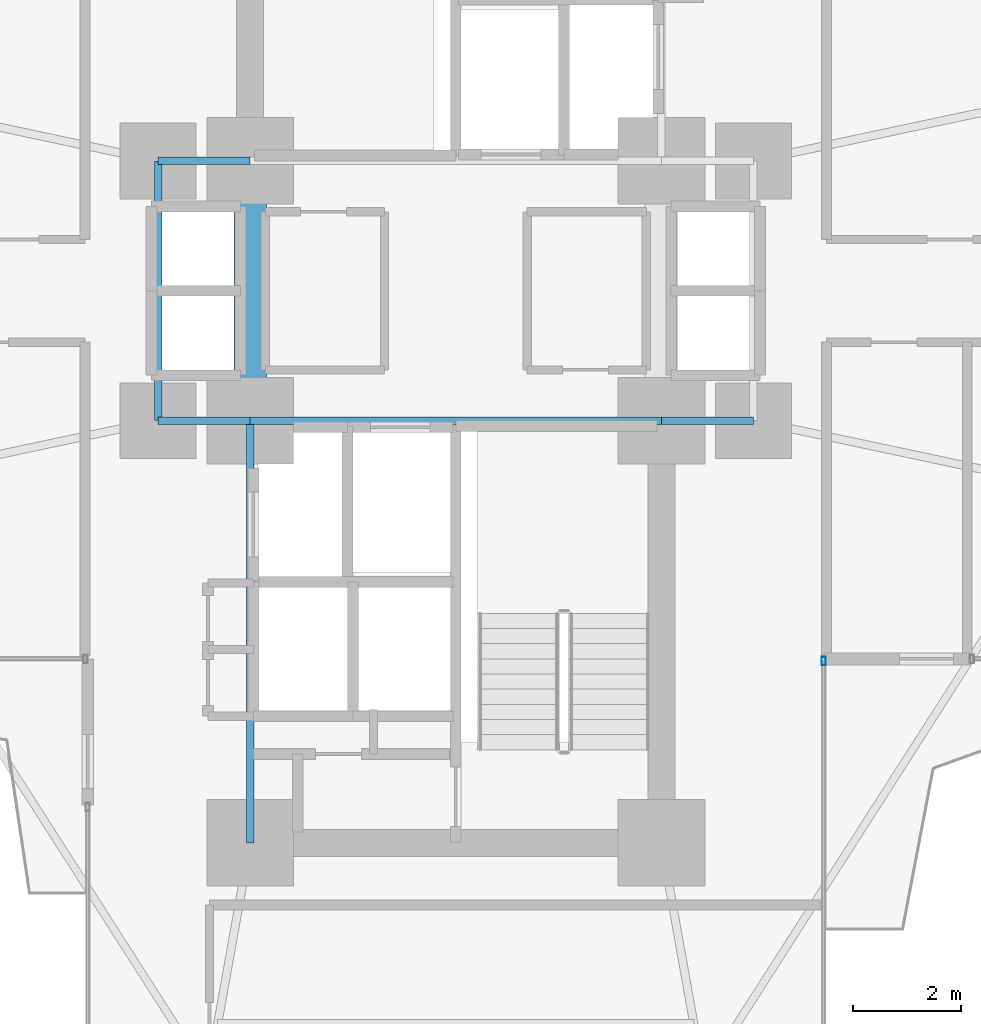
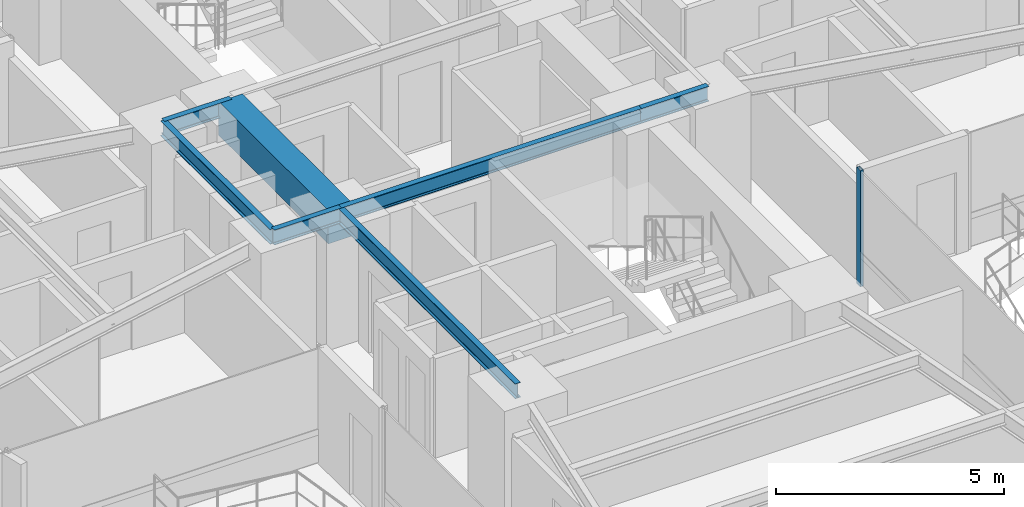
# One storey, part 11 of 25: 7 beams, 1 member, 1 element without a shape of its own.
"""IFC4 building model written with IfcOpenShell, lengths in metres."""

from ifc_helpers import new_model, si_unit, direction, frame, origin, origin_2d, place, context, subcontext, project, spatial, rectangle, hollow_rectangle, i_section, extrude, source, transform, mapped, material, material_profile, profile_set, type_object, element, aggregate, save


model = new_model("IFC4")

# Units and contexts
model_context = context("Model", 3, precision=1e-05, world=origin(), true_north=direction((0.0, 1.0)))
body_context = subcontext(model_context, "Body", "Model", "MODEL_VIEW")
ifc_project = project(units=[si_unit("LENGTHUNIT", "METRE"), si_unit("AREAUNIT", "SQUARE_METRE"), si_unit("VOLUMEUNIT", "CUBIC_METRE"), si_unit("PLANEANGLEUNIT", "RADIAN"), si_unit("MASSUNIT", "GRAM", prefix="KILO")], contexts=[model_context])

# Site, building, storey
site_placement = place(None, origin())
site = spatial("IfcSite", under=ifc_project, at=site_placement, CompositionType="ELEMENT")
building_placement = place(site_placement, origin())
building = spatial("IfcBuilding", under=site, at=building_placement, Name="Sahyath Konkavel Grand Hotel", CompositionType="ELEMENT")
storey_placement = place(building_placement, frame((0.0, 0.0, 33.14990234375)))
storey = spatial("IfcBuildingStorey", under=building, at=storey_placement, Name="L08", CompositionType="ELEMENT", Elevation=33.14990234375)

# Beams
ifc_material_1 = material(Name="Concrete C70/85", Category="concrete")
ifc_material_profile_1 = material_profile(ifc_material_1, rectangle(XDim=0.60009765625, YDim=0.89990234375, at=origin_2d()), Name="RC 600x900")
ifc_profile_set_1 = profile_set([ifc_material_profile_1], Name="Concrete C70/85")
beam_type_1 = type_object("IfcBeamType", Name="BM-CB600x900", PredefinedType="LINTEL", material=ifc_profile_set_1)
shared_shape_1 = source(origin(), body_context, "Body", "SweptSolid", [
    extrude(rectangle(XDim=0.60009765625, YDim=0.89990234375, at=origin_2d()), origin(), (0.0, 0.0, 1.0), 4.7998046875),
])
beam_1_placement = place(storey_placement, frame((-3.800048828125, -2.39990234375, 2.66015625), z_axis=(0.0, 1.0, 0.0), x_axis=(-1.0, 0.0, 0.0)))
element("IfcBeam", 1, at=beam_1_placement, inside=storey, type_object=beam_type_1, Name="L08 Split-Core Coupling Beam West", PredefinedType="LINTEL", context=body_context, shape_type="MappedRepresentation", body=[
    mapped(shared_shape_1, transform((0.0, 0.0, 0.0), scale=1.0)),
])
ifc_material_2 = material(Name="Steel E350", Category="steel")
ifc_material_profile_2 = material_profile(ifc_material_2, i_section(OverallWidth=0.139892578125, OverallDepth=0.39990234375, WebThickness=0.0087890625, FlangeThickness=0.01611328125, FilletRadius=0.013916015625, at=origin_2d()), Name="ISMB 400")
ifc_profile_set_2 = profile_set([ifc_material_profile_2], Name="Steel E350")
beam_type_2 = type_object("IfcBeamType", Name="BM-ISMB400", PredefinedType="BEAM", material=ifc_profile_set_2)
shared_shape_2 = source(origin(), body_context, "Body", "SweptSolid", [
    extrude(i_section(OverallWidth=0.139892578125, OverallDepth=0.39990234375, WebThickness=0.0087890625, FlangeThickness=0.01611328125, FilletRadius=0.013916015625, at=origin_2d()), origin(), (0.0, 0.0, 1.0), 7.60009765625),
])
beam_2_placement = place(storey_placement, frame((-3.800048828125, -2.39990234375, 2.91015625), z_axis=(1.0, 0.0, 0.0), x_axis=(0.0, 1.0, 0.0)))
element("IfcBeam", 2, at=beam_2_placement, inside=storey, type_object=beam_type_2, Name="str:bm:L08:SC-N", PredefinedType="BEAM", context=body_context, shape_type="MappedRepresentation", body=[
    mapped(shared_shape_2, transform((0.0, 0.0, 0.0), scale=1.0)),
])
shared_shape_3 = source(origin(), body_context, "Body", "SweptSolid", [
    extrude(i_section(OverallWidth=0.139892578125, OverallDepth=0.39990234375, WebThickness=0.0087890625, FlangeThickness=0.01611328125, FilletRadius=0.013916015625, at=origin_2d()), origin(), (0.0, 0.0, 1.0), 7.800048828125),
])
beam_3_placement = place(storey_placement, frame((-3.800048828125, -10.199951171875, 2.91015625), z_axis=(0.0, 1.0, 0.0), x_axis=(-1.0, 0.0, 0.0)))
element("IfcBeam", 3, at=beam_3_placement, inside=storey, type_object=beam_type_2, Name="str:bm:L08:SC-W", PredefinedType="BEAM", context=body_context, shape_type="MappedRepresentation", body=[
    mapped(shared_shape_3, transform((0.0, 0.0, 0.0), scale=1.0)),
])
shared_shape_4 = source(origin(), body_context, "Body", "SweptSolid", [
    extrude(i_section(OverallWidth=0.139892578125, OverallDepth=0.39990234375, WebThickness=0.0087890625, FlangeThickness=0.01611328125, FilletRadius=0.013916015625, at=origin_2d()), origin(), (0.0, 0.0, 1.0), 1.699951171875),
])
for number, where, z_axis, x_axis, name in (
    (4, (-5.5, 2.39990234375, 2.91015625), (1.0, 0.0, 0.0), (0.0, 1.0, 0.0), "str:bm:L08:HB-NW"),
    (5, (-5.5, -2.39990234375, 2.91015625), (1.0, 0.0, 0.0), (0.0, 1.0, 0.0), "str:bm:L08:HB-SW"),
    (6, (3.800048828125, -2.39990234375, 2.91015625), (1.0, 0.0, 0.0), (0.0, 1.0, 0.0), "str:bm:L08:HB-SE"),
):
    element("IfcBeam", number, at=place(storey_placement, frame(where, z_axis=z_axis, x_axis=x_axis)), inside=storey, type_object=beam_type_2, Name=name, PredefinedType="BEAM", context=body_context, shape_type="MappedRepresentation", body=[
        mapped(shared_shape_4, transform((0.0, 0.0, 0.0), scale=1.0)),
    ])
shared_shape_5 = source(origin(), body_context, "Body", "SweptSolid", [
    extrude(i_section(OverallWidth=0.139892578125, OverallDepth=0.39990234375, WebThickness=0.0087890625, FlangeThickness=0.01611328125, FilletRadius=0.013916015625, at=origin_2d()), origin(), (0.0, 0.0, 1.0), 4.7998046875),
])
beam_4_placement = place(storey_placement, frame((-5.5, -2.39990234375, 2.91015625), z_axis=(0.0, 1.0, 0.0), x_axis=(-1.0, 0.0, 0.0)))
element("IfcBeam", 7, at=beam_4_placement, inside=storey, type_object=beam_type_2, Name="str:bm:L08:HB-W", PredefinedType="BEAM", context=body_context, shape_type="MappedRepresentation", body=[
    mapped(shared_shape_5, transform((0.0, 0.0, 0.0), scale=1.0)),
])

# Curtain wall, member
ifc_material_3 = material(Name="Anodised Bronze Aluminium & Low-E Glazing", Category="aluminium")
curtain_wall_type = type_object("IfcCurtainWallType", Name="CW-ZONE1", PredefinedType="NOTDEFINED", material=ifc_material_3)
curtain_wall_placement = place(storey_placement, origin())
curtain_wall = element("IfcCurtainWall", 8, at=curtain_wall_placement, inside=storey, type_object=curtain_wall_type, Name="L08 Unitised Curtain Wall F31", PredefinedType="NOTDEFINED")
ifc_material_4 = material(Name="Anodised Bronze Aluminium", Category="aluminium")
ifc_material_profile_3 = material_profile(ifc_material_4, hollow_rectangle(XDim=0.080078125, YDim=0.159912109375, WallThickness=0.006103515625, at=origin_2d()), Name="RHS 160x80x6")
ifc_profile_set_3 = profile_set([ifc_material_profile_3], Name="Anodised Bronze Aluminium")
member_type = type_object("IfcMemberType", Name="CW-MUL-160", PredefinedType="MULLION", material=ifc_profile_set_3)
shared_shape_6 = source(origin(), body_context, "Body", "SweptSolid", [
    extrude(hollow_rectangle(XDim=0.080078125, YDim=0.159912109375, WallThickness=0.006103515625, at=origin_2d()), origin(), (0.0, 0.0, 1.0), 3.110107421875),
])
member_placement = place(storey_placement, frame((6.800048828125, -6.840087890625, 0.0), z_axis=(0.0, 0.0, 1.0), x_axis=(1.0, 0.0, 0.0)))
member = element("IfcMember", 9, at=member_placement, type_object=member_type, Name="L08 Curtain Wall Mullion F31-2", PredefinedType="MULLION", context=body_context, shape_type="MappedRepresentation", body=[
    mapped(shared_shape_6, transform((0.0, 0.0, 0.0), scale=1.0)),
])
aggregate(curtain_wall, [member])

save(model, "model.ifc")
